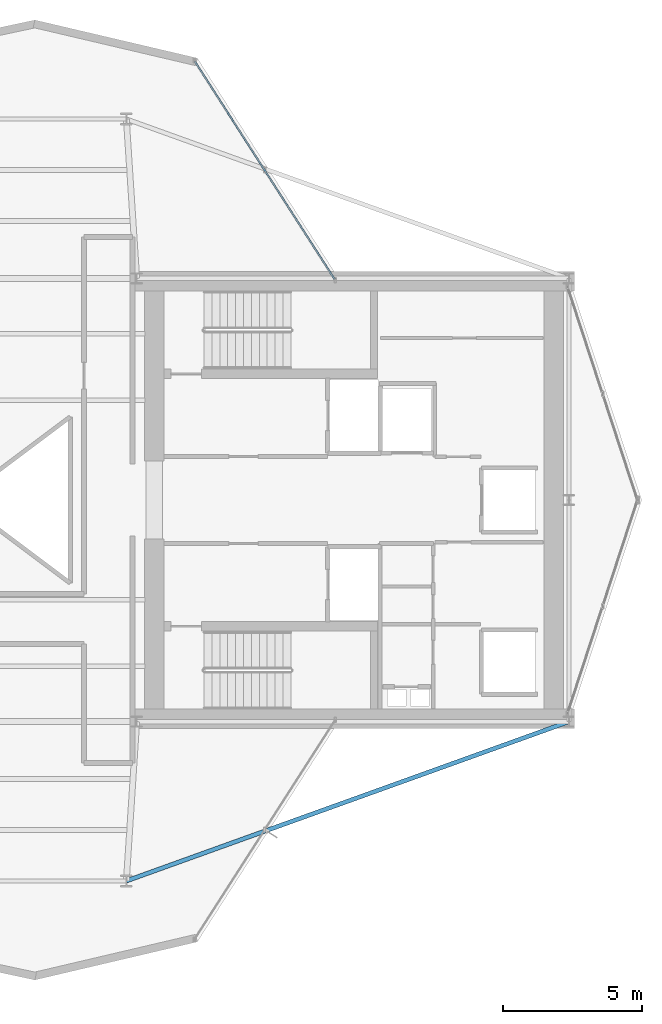
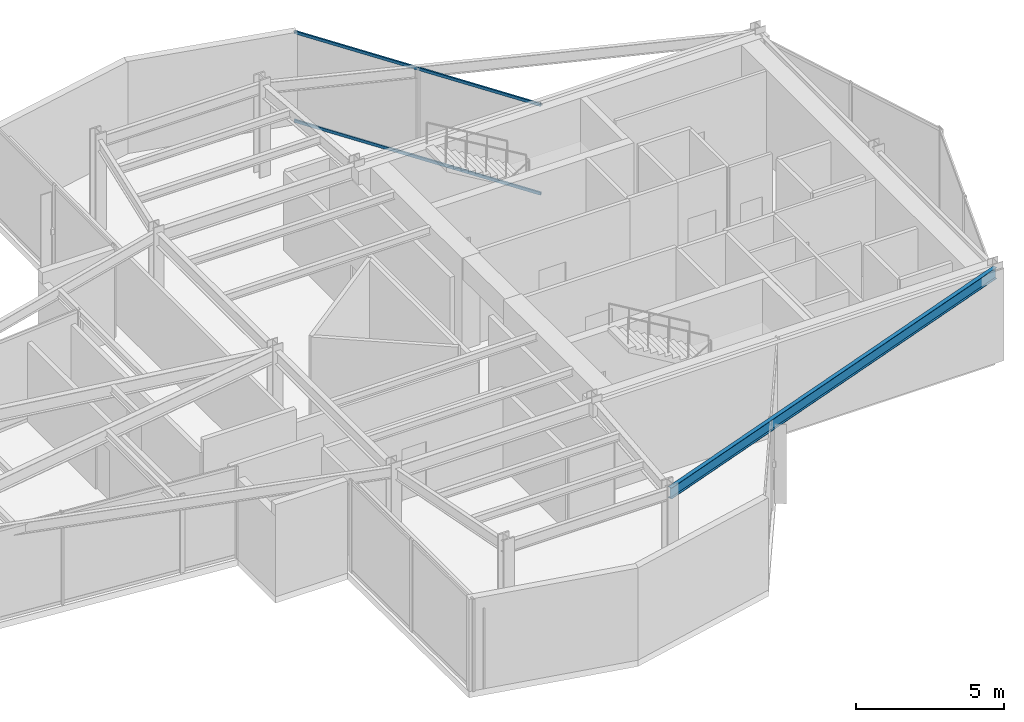
# One storey, part 13 of 23: 2 members, 1 beam, 1 element without a shape of its own.
"""IFC4 building model written with IfcOpenShell, lengths in metres."""

from ifc_helpers import new_model, si_unit, direction, frame, origin, origin_2d, place, context, subcontext, project, spatial, hollow_rectangle, i_section, extrude, material, layer, layer_set, material_profile, profile_set, type_object, element, aggregate, save


model = new_model("IFC4")

# Units and contexts
model_context = context("Model", 3, precision=1e-05, world=origin(), true_north=direction((0.0, 1.0)))
body_context = subcontext(model_context, "Body", "Model", "MODEL_VIEW")
ifc_project = project(units=[si_unit("LENGTHUNIT", "METRE"), si_unit("AREAUNIT", "SQUARE_METRE"), si_unit("VOLUMEUNIT", "CUBIC_METRE"), si_unit("PLANEANGLEUNIT", "RADIAN"), si_unit("MASSUNIT", "GRAM", prefix="KILO")], contexts=[model_context])

# Site, building, storey
site_placement = place(None, origin())
site = spatial("IfcSite", under=ifc_project, at=site_placement, CompositionType="ELEMENT")
building_placement = place(site_placement, origin())
building = spatial("IfcBuilding", under=site, at=building_placement, Name="Veymaron Broadcast Tower", CompositionType="ELEMENT")
storey_placement = place(building_placement, frame((0.0, 0.0, 195.89990234375)))
storey = spatial("IfcBuildingStorey", under=building, at=storey_placement, Name="L45", CompositionType="ELEMENT", Elevation=195.89990234375)

# Beam
ifc_material_1 = material(Name="Structural steel ASTM A992 Gr 50", Category="steel")
ifc_material_profile_1 = material_profile(ifc_material_1, i_section(OverallWidth=0.154052734375, OverallDepth=0.458984375, WebThickness=0.009033203125, FlangeThickness=0.015380859375, at=origin_2d()), Name="W460X68")
ifc_profile_set_1 = profile_set([ifc_material_profile_1], Name="Structural steel ASTM A992 Gr 50")
beam_type = type_object("IfcBeamType", Name="BM-SP2", PredefinedType="SPANDREL", material=ifc_profile_set_1)
beam_placement = place(storey_placement, frame((54.60009765625, 16.0, 3.560546875), z_axis=(-0.940906840948, -0.33866549375, 0.0), x_axis=(0.33866549375, -0.940906840948, 0.0)))
element("IfcBeam", 1, at=beam_placement, inside=storey, type_object=beam_type, Name="L45 primary structural floor girder", PredefinedType="SPANDREL", context=body_context, shape_type="SweptSolid", body=[
    extrude(i_section(OverallWidth=0.154052734375, OverallDepth=0.458984375, WebThickness=0.009033203125, FlangeThickness=0.015380859375, at=origin_2d()), origin(), (0.0, 0.0, 1.0), 16.978515625),
])

# Curtain wall, members
ifc_material_2 = material(Name="Anodised aluminium AA 6063-T6 and laminated low-E dark glass", Category="aluminium")
ifc_layer = layer(ifc_material_2, 0.179931640625)
ifc_layer_set = layer_set([ifc_layer], Name="Anodised aluminium AA 6063-T6 and laminated low-E dark glass")
curtain_wall_type = type_object("IfcCurtainWallType", Name="CW-SYS-05", PredefinedType="NOTDEFINED", material=ifc_layer_set)
curtain_wall_placement = place(storey_placement, origin())
curtain_wall = element("IfcCurtainWall", 2, at=curtain_wall_placement, inside=storey, type_object=curtain_wall_type, Name="L45 dark-glass curtain wall CW-L45-E5-1", PredefinedType="NOTDEFINED")
ifc_material_3 = material(Name="Anodised aluminium AA 6063-T6", Category="aluminium")
ifc_material_profile_2 = material_profile(ifc_material_3, hollow_rectangle(XDim=0.06005859375, YDim=0.1201171875, WallThickness=0.00390625, at=origin_2d()), Name="AL120X60X4")
ifc_profile_set_2 = profile_set([ifc_material_profile_2], Name="Anodised aluminium AA 6063-T6")
member_type = type_object("IfcMemberType", Name="CW-TRN-02", PredefinedType="USERDEFINED", material=ifc_profile_set_2)
member_1_placement = place(storey_placement, frame((46.14208984375, 31.966552734375, 0.070068359375), z_axis=(-0.539970408513, 0.841684001232, 0.0), x_axis=(-0.841684001232, -0.539970408513, 0.0)))
member_1 = element("IfcMember", 3, at=member_1_placement, type_object=member_type, Name="CW-L45-E5-1 transom B", ObjectType="TRANSOM", PredefinedType="USERDEFINED", context=body_context, shape_type="SweptSolid", body=[
    extrude(hollow_rectangle(XDim=0.06005859375, YDim=0.1201171875, WallThickness=0.00390625, at=origin_2d()), origin(), (0.0, 0.0, 1.0), 9.34521484375),
])
member_2_placement = place(storey_placement, frame((46.14208984375, 31.966552734375, 3.72021484375), z_axis=(-0.539970408513, 0.841684001232, 0.0), x_axis=(-0.841684001232, -0.539970408513, 0.0)))
member_2 = element("IfcMember", 4, at=member_2_placement, type_object=member_type, Name="CW-L45-E5-1 transom T", ObjectType="TRANSOM", PredefinedType="USERDEFINED", context=body_context, shape_type="SweptSolid", body=[
    extrude(hollow_rectangle(XDim=0.06005859375, YDim=0.1201171875, WallThickness=0.00390625, at=origin_2d()), origin(), (0.0, 0.0, 1.0), 9.34521484375),
])
aggregate(curtain_wall, [member_1, member_2])

save(model, "model.ifc")
